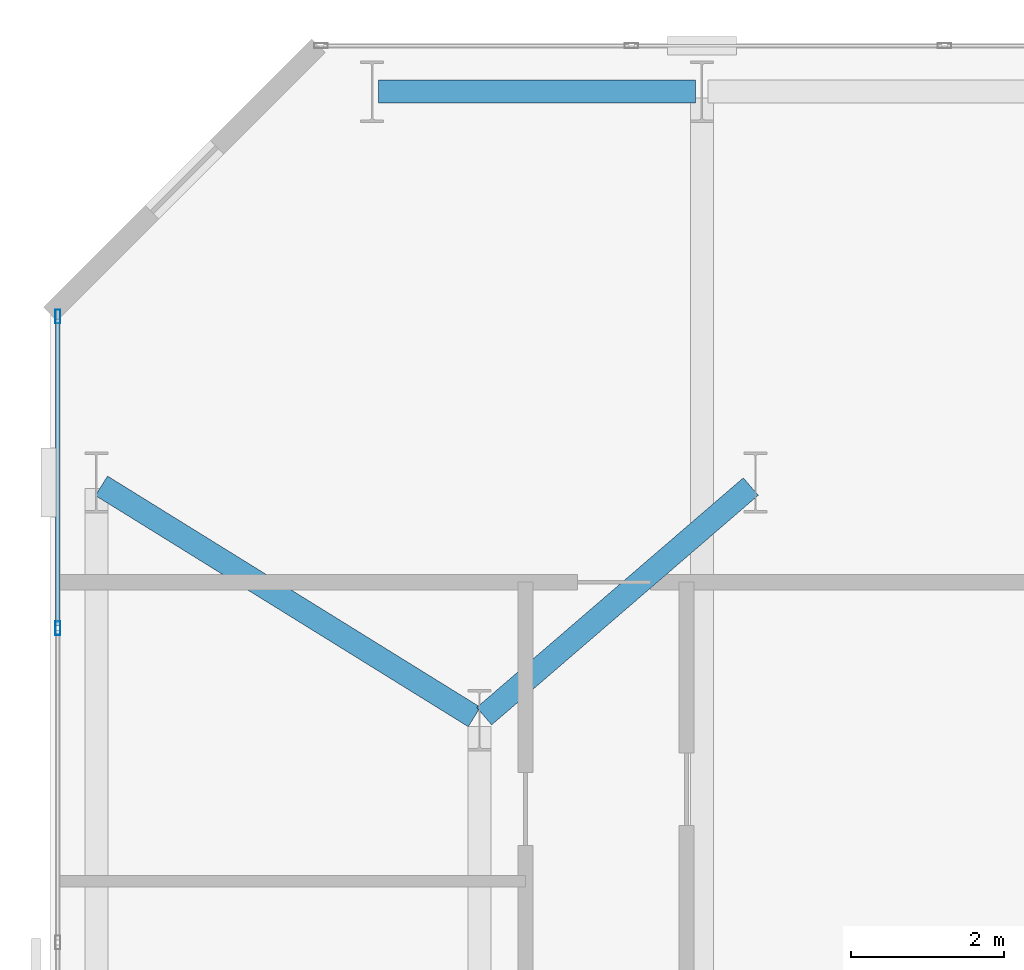
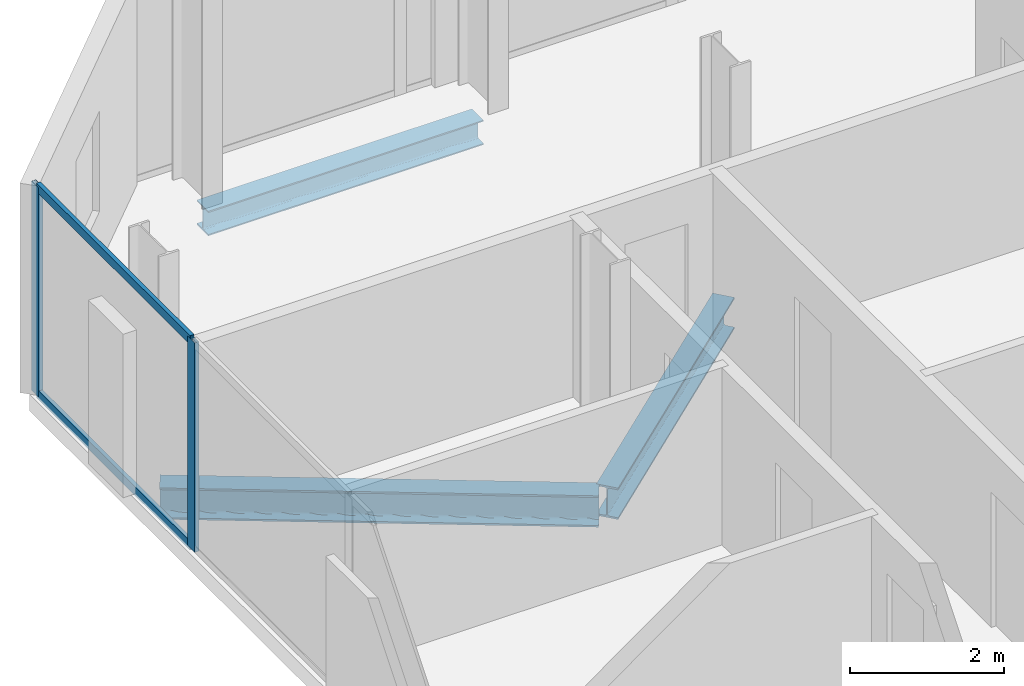
# One storey, part 20 of 33: 4 members, 3 beams, 1 element without a shape of its own.
"""IFC4 building model written with IfcOpenShell, lengths in metres."""

from ifc_helpers import new_model, si_unit, direction, frame, origin, origin_2d, place, context, subcontext, project, spatial, hollow_rectangle, i_section, extrude, material, layer, layer_set, material_profile, profile_set, type_object, element, aggregate, save


model = new_model("IFC4")

# Units and contexts
model_context = context("Model", 3, precision=1e-05, world=origin(), true_north=direction((0.0, 1.0)))
body_context = subcontext(model_context, "Body", "Model", "MODEL_VIEW")
ifc_project = project(units=[si_unit("LENGTHUNIT", "METRE"), si_unit("AREAUNIT", "SQUARE_METRE"), si_unit("VOLUMEUNIT", "CUBIC_METRE"), si_unit("PLANEANGLEUNIT", "RADIAN"), si_unit("MASSUNIT", "GRAM", prefix="KILO")], contexts=[model_context])

# Site, building, storey
site_placement = place(None, origin())
site = spatial("IfcSite", under=ifc_project, at=site_placement, CompositionType="ELEMENT")
building_placement = place(site_placement, origin())
building = spatial("IfcBuilding", under=site, at=building_placement, Name="Catumbela Crestline Tower", CompositionType="ELEMENT")
storey_placement = place(building_placement, frame((0.0, 0.0, 43.8)))
storey = spatial("IfcBuildingStorey", under=building, at=storey_placement, Name="L10", CompositionType="ELEMENT", Elevation=43.8)

# Beams
ifc_material_1 = material(Name="Structural steel S355J2", Category="steel")
ifc_material_profile_1 = material_profile(ifc_material_1, i_section(OverallWidth=0.3, OverallDepth=0.5, WebThickness=0.0145, FlangeThickness=0.028, FilletRadius=0.027, at=origin_2d()), Name="HEB 500")
ifc_profile_set_1 = profile_set([ifc_material_profile_1], Name="Structural steel S355J2")
beam_type_1 = type_object("IfcBeamType", Name="BG-HEB500", PredefinedType="BEAM", material=ifc_profile_set_1)
beam_1_placement = place(storey_placement, frame((0.668, 42.2578, -0.51), z_axis=(0.849908952007, -0.526929571479, 0.0), x_axis=(0.526929571479, 0.849908952007, 0.0)))
element("IfcBeam", 1, at=beam_1_placement, inside=storey, type_object=beam_type_1, Name="L10 Beam BM-L10-N13", PredefinedType="BEAM", context=body_context, shape_type="SweptSolid", body=[
    extrude(i_section(OverallWidth=0.3, OverallDepth=0.5, WebThickness=0.0145, FlangeThickness=0.028, FilletRadius=0.027, at=origin_2d()), origin(), (0.0, 0.0, 1.0), 5.723),
])
beam_2_placement = place(storey_placement, frame((5.6606, 39.2522, -0.51), z_axis=(0.757772392559, 0.652518966066, 0.0), x_axis=(-0.652518966066, 0.757772392559, 0.0)))
element("IfcBeam", 2, at=beam_2_placement, inside=storey, type_object=beam_type_1, Name="L10 Beam BM-L10-N14", PredefinedType="BEAM", context=body_context, shape_type="SweptSolid", body=[
    extrude(i_section(OverallWidth=0.3, OverallDepth=0.5, WebThickness=0.0145, FlangeThickness=0.028, FilletRadius=0.027, at=origin_2d()), origin(), (0.0, 0.0, 1.0), 4.5908),
])

# Curtain wall, members
ifc_material_2 = material(Name="Aluminium alloy AW-6060-T66", Category="aluminium")
ifc_layer = layer(ifc_material_2, 0.18, Name="Aluminium alloy AW-6060-T66")
ifc_layer_set = layer_set([ifc_layer], Name="Aluminium alloy AW-6060-T66")
curtain_wall_type = type_object("IfcCurtainWallType", Name="CWU-Z1", PredefinedType="USERDEFINED", material=ifc_layer_set)
curtain_wall_placement = place(storey_placement, origin())
curtain_wall = element("IfcCurtainWall", 3, at=curtain_wall_placement, inside=storey, type_object=curtain_wall_type, Name="L10 Unitised Curtain Wall CW-L10-E9S1", ObjectType="UNITISED", PredefinedType="USERDEFINED")
ifc_material_profile_2 = material_profile(ifc_material_2, hollow_rectangle(XDim=0.065, YDim=0.18, WallThickness=0.004, at=origin_2d()), Name="ALU 180x65x4")
ifc_profile_set_2 = profile_set([ifc_material_profile_2], Name="Aluminium alloy AW-6060-T66")
member_type_1 = type_object("IfcMemberType", Name="MUL-180X65", PredefinedType="MULLION", material=ifc_profile_set_2)
member_1_placement = place(storey_placement, frame((0.1, 44.4675, 0.0), z_axis=(0.0, 0.0, 1.0), x_axis=(1.0, 0.0, 0.0)))
member_1 = element("IfcMember", 4, at=member_1_placement, type_object=member_type_1, Name="CWU-Z1 mullion 1", PredefinedType="MULLION", context=body_context, shape_type="SweptSolid", body=[
    extrude(hollow_rectangle(XDim=0.065, YDim=0.18, WallThickness=0.004, at=origin_2d()), origin(), (0.0, 0.0, 1.0), 3.33),
])
member_2_placement = place(storey_placement, frame((0.1, 40.4, 0.0), z_axis=(0.0, 0.0, 1.0), x_axis=(1.0, 0.0, 0.0)))
member_2 = element("IfcMember", 5, at=member_2_placement, type_object=member_type_1, Name="CWU-Z1 mullion 2", PredefinedType="MULLION", context=body_context, shape_type="SweptSolid", body=[
    extrude(hollow_rectangle(XDim=0.065, YDim=0.18, WallThickness=0.004, at=origin_2d()), origin(), (0.0, 0.0, 1.0), 3.33),
])

# Beam
ifc_material_profile_3 = material_profile(ifc_material_1, i_section(OverallWidth=0.3, OverallDepth=0.39, WebThickness=0.011, FlangeThickness=0.019, FilletRadius=0.027, at=origin_2d()), Name="HEA 400")
ifc_profile_set_3 = profile_set([ifc_material_profile_3], Name="Structural steel S355J2")
beam_type_2 = type_object("IfcBeamType", Name="BS-HEA400", PredefinedType="SPANDREL", material=ifc_profile_set_3)
beam_3_placement = place(storey_placement, frame((4.28, 47.4, -0.455), z_axis=(1.0, 0.0, 0.0), x_axis=(0.0, 1.0, 0.0)))
element("IfcBeam", 6, at=beam_3_placement, inside=storey, type_object=beam_type_2, Name="L10 Spandrel SP-L10-NF19", PredefinedType="SPANDREL", context=body_context, shape_type="SweptSolid", body=[
    extrude(i_section(OverallWidth=0.3, OverallDepth=0.39, WebThickness=0.011, FlangeThickness=0.019, FilletRadius=0.027, at=origin_2d()), origin(), (0.0, 0.0, 1.0), 4.14),
])

# Member
ifc_material_profile_4 = material_profile(ifc_material_2, hollow_rectangle(XDim=0.06, YDim=0.14, WallThickness=0.004, at=origin_2d()), Name="ALU 140x60x4")
ifc_profile_set_4 = profile_set([ifc_material_profile_4], Name="Aluminium alloy AW-6060-T66")
member_type_2 = type_object("IfcMemberType", Name="TRN-140X60", PredefinedType="USERDEFINED", material=ifc_profile_set_4)
member_3_placement = place(storey_placement, frame((0.1, 44.435, 0.03), z_axis=(0.0, -1.0, 0.0), x_axis=(1.0, 0.0, 0.0)))
member_3 = element("IfcMember", 7, at=member_3_placement, type_object=member_type_2, Name="CWU-Z1 transom 1.1", ObjectType="TRANSOM", PredefinedType="USERDEFINED", context=body_context, shape_type="SweptSolid", body=[
    extrude(hollow_rectangle(XDim=0.06, YDim=0.14, WallThickness=0.004, at=origin_2d()), origin(), (0.0, 0.0, 1.0), 4.0025),
])

member_4_placement = place(storey_placement, frame((0.1, 44.435, 3.3), z_axis=(0.0, -1.0, 0.0), x_axis=(1.0, 0.0, 0.0)))
member_4 = element("IfcMember", 8, at=member_4_placement, type_object=member_type_2, Name="CWU-Z1 transom 1.2", ObjectType="TRANSOM", PredefinedType="USERDEFINED", context=body_context, shape_type="SweptSolid", body=[
    extrude(hollow_rectangle(XDim=0.06, YDim=0.14, WallThickness=0.004, at=origin_2d()), origin(), (0.0, 0.0, 1.0), 4.0025),
])

aggregate(curtain_wall, [member_1, member_2, member_3, member_4])

save(model, "model.ifc")
